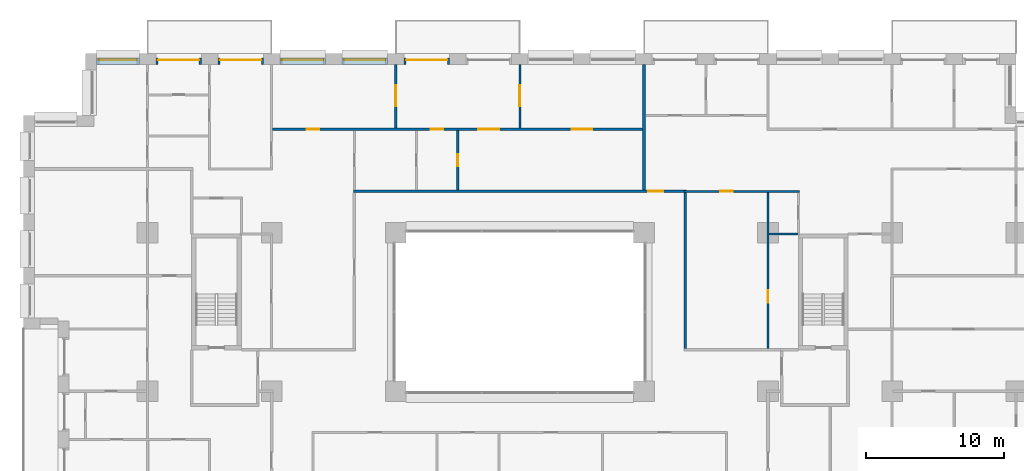
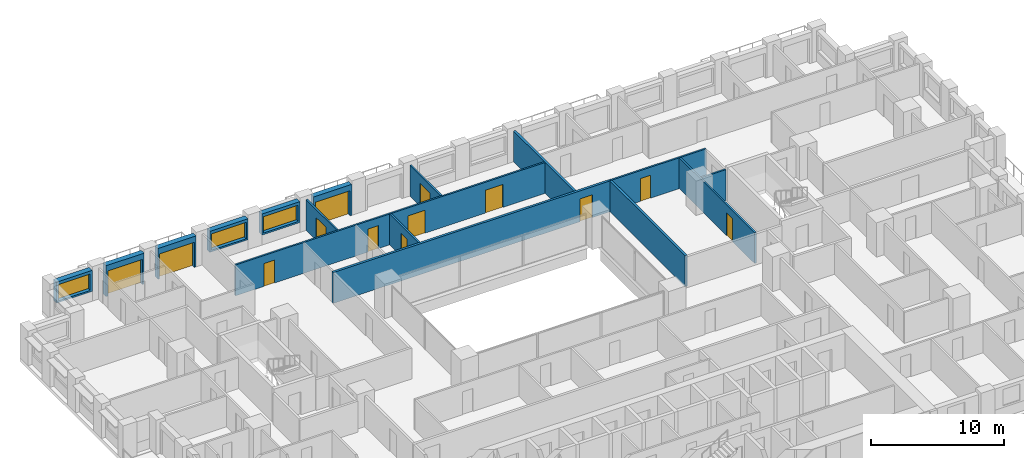
# One storey, part 14 of 20: 16 walls, 13 doors, 3 windows, 16 openings.
"""IFC4 building model written with IfcOpenShell, lengths in metres."""

from ifc_helpers import new_model, si_unit, direction, frame, frame_2d, origin, place, context, subcontext, project, spatial, rectangle, extrude, material, layer, layer_set, type_object, element, fill, save


model = new_model("IFC4")

# Units and contexts
model_context = context("Model", 3, precision=1e-05, world=origin(), true_north=direction((0.0, 1.0)))
body_context = subcontext(model_context, "Body", "Model", "MODEL_VIEW")
ifc_project = project(units=[si_unit("LENGTHUNIT", "METRE"), si_unit("AREAUNIT", "SQUARE_METRE"), si_unit("VOLUMEUNIT", "CUBIC_METRE"), si_unit("PLANEANGLEUNIT", "RADIAN"), si_unit("MASSUNIT", "GRAM", prefix="KILO")], contexts=[model_context])

# Site, building, storey
site_placement = place(None, origin())
site = spatial("IfcSite", under=ifc_project, at=site_placement, CompositionType="ELEMENT")
building_placement = place(site_placement, origin())
building = spatial("IfcBuilding", under=site, at=building_placement, Name="Brigalow Station Residences", CompositionType="ELEMENT")
storey_placement = place(building_placement, frame((0.0, 0.0, 66.75)))
storey = spatial("IfcBuildingStorey", under=building, at=storey_placement, Name="L19", CompositionType="ELEMENT", Elevation=66.75)

# Wall, opening, door
ifc_material_1 = material(Name="Clay brick masonry", Category="masonry")
ifc_layer_1 = layer(ifc_material_1, 0.449951171875)
ifc_layer_set_1 = layer_set([ifc_layer_1], Name="BRICK INFILL WALL 450")
wall_type_1 = type_object("IfcWallType", Name="BRICK INFILL WALL 450", PredefinedType="SOLIDWALL", material=ifc_layer_set_1)
wall_1_placement = place(storey_placement, frame((30.89990234375, 47.925048828125, 0.0), z_axis=(0.0, 0.0, 1.0), x_axis=(-1.0, 0.0, 0.0)))
wall_1 = element("IfcWall", 1, at=wall_1_placement, inside=storey, type_object=wall_type_1, Name="L19/ewall/W-L19-34", PredefinedType="SOLIDWALL", context=body_context, shape_type="SweptSolid", body=[
    extrude(rectangle(XDim=3.2998046875, YDim=0.449951171875, at=frame_2d((1.64990234375, 0.0))), origin(), (0.0, 0.0, 1.0), 2.830078125),
])
opening_1_placement = place(wall_1_placement, frame((0.14990234375, 0.0, 0.0)))
opening_1 = element("IfcOpeningElement", 2, at=opening_1_placement, cuts=wall_1, Name="Opening D-B3000", PredefinedType="OPENING", context=body_context, shape_type="SweptSolid", body=[
    extrude(rectangle(XDim=3.0, YDim=2.300048828125, at=frame_2d((1.5, 1.14990234375))), frame((0.0, 0.23486328125, 0.0), z_axis=(0.0, -1.0, 0.0), x_axis=(1.0, 0.0, 0.0)), (0.0, 0.0, 1.0), 0.469970703125),
])
ifc_material_2 = material(Name="Anodised aluminium frame with double glazing", Category="aluminium")
door_type_1 = type_object("IfcDoorType", Name="BALCONY SLIDING DOOR 3000x2300", OperationType="SLIDING_TO_LEFT", PredefinedType="DOOR", material=ifc_material_2)
door_1_placement = place(opening_1_placement, origin())
door_1 = element("IfcDoor", 3, at=door_1_placement, inside=storey, type_object=door_type_1, Name="L19/balcony-door/W-L19-34", OperationType="SLIDING_TO_LEFT", OverallHeight=2.300048828125, OverallWidth=3.0, PredefinedType="DOOR", context=body_context, shape_type="SweptSolid", body=[
    extrude(rectangle(XDim=3.0, YDim=2.300048828125, at=frame_2d((1.5, 1.14990234375))), frame((0.0, -0.06982421875, 0.0), z_axis=(0.0, -1.0, 0.0), x_axis=(1.0, 0.0, 0.0)), (0.0, 0.0, 1.0), 0.050048828125),
])
fill(opening_1, door_1)

# Wall, opening, window
wall_2_placement = place(storey_placement, frame((26.39990234375, 47.925048828125, 0.89990234375), z_axis=(0.0, 0.0, 1.0), x_axis=(-1.0, 0.0, 0.0)))
wall_2 = element("IfcWall", 4, at=wall_2_placement, inside=storey, type_object=wall_type_1, Name="L19/ewall/W-L19-35", PredefinedType="SOLIDWALL", context=body_context, shape_type="SweptSolid", body=[
    extrude(rectangle(XDim=3.2998046875, YDim=0.449951171875, at=frame_2d((1.64990234375, 0.0))), origin(), (0.0, 0.0, 1.0), 1.93017578125),
])
opening_2_placement = place(wall_2_placement, frame((0.14990234375, 0.0, 0.14990234375)))
opening_2 = element("IfcOpeningElement", 5, at=opening_2_placement, cuts=wall_2, Name="Opening WT-2", PredefinedType="OPENING", context=body_context, shape_type="SweptSolid", body=[
    extrude(rectangle(XDim=3.0, YDim=1.5, at=frame_2d((1.5, 0.75))), frame((0.0, 0.23486328125, 0.0), z_axis=(0.0, -1.0, 0.0), x_axis=(1.0, 0.0, 0.0)), (0.0, 0.0, 1.0), 0.469970703125),
])
ifc_material_3 = material(Name="Anodised aluminium frame with double glazing", Category="aluminium")
window_type_1 = type_object("IfcWindowType", Name="WINDOW 3000x1500", PartitioningType="SINGLE_PANEL", PredefinedType="WINDOW", material=ifc_material_3)
window_1_placement = place(opening_2_placement, origin())
window_1 = element("IfcWindow", 6, at=window_1_placement, inside=storey, type_object=window_type_1, Name="L19/window/W-L19-35", OverallHeight=1.5, OverallWidth=3.0, PartitioningType="SINGLE_PANEL", PredefinedType="WINDOW", context=body_context, shape_type="SweptSolid", body=[
    extrude(rectangle(XDim=3.0, YDim=1.5, at=frame_2d((1.5, 0.75))), frame((0.0, -0.06494140625, 0.0), z_axis=(0.0, -1.0, 0.0), x_axis=(1.0, 0.0, 0.0)), (0.0, 0.0, 1.0), 0.06005859375),
])
fill(opening_2, window_1)

wall_3_placement = place(storey_placement, frame((21.89990234375, 47.925048828125, 0.89990234375), z_axis=(0.0, 0.0, 1.0), x_axis=(-1.0, 0.0, 0.0)))
wall_3 = element("IfcWall", 7, at=wall_3_placement, inside=storey, type_object=wall_type_1, Name="L19/ewall/W-L19-36", PredefinedType="SOLIDWALL", context=body_context, shape_type="SweptSolid", body=[
    extrude(rectangle(XDim=3.2998046875, YDim=0.449951171875, at=frame_2d((1.64990234375, 0.0))), origin(), (0.0, 0.0, 1.0), 1.93017578125),
])
opening_3_placement = place(wall_3_placement, frame((0.14990234375, 0.0, 0.14990234375)))
opening_3 = element("IfcOpeningElement", 8, at=opening_3_placement, cuts=wall_3, Name="Opening WT-2", PredefinedType="OPENING", context=body_context, shape_type="SweptSolid", body=[
    extrude(rectangle(XDim=3.0, YDim=1.5, at=frame_2d((1.5, 0.75))), frame((0.0, 0.23486328125, 0.0), z_axis=(0.0, -1.0, 0.0), x_axis=(1.0, 0.0, 0.0)), (0.0, 0.0, 1.0), 0.469970703125),
])
window_2_placement = place(opening_3_placement, origin())
window_2 = element("IfcWindow", 9, at=window_2_placement, inside=storey, type_object=window_type_1, Name="L19/window/W-L19-36", OverallHeight=1.5, OverallWidth=3.0, PartitioningType="SINGLE_PANEL", PredefinedType="WINDOW", context=body_context, shape_type="SweptSolid", body=[
    extrude(rectangle(XDim=3.0, YDim=1.5, at=frame_2d((1.5, 0.75))), frame((0.0, -0.06494140625, 0.0), z_axis=(0.0, -1.0, 0.0), x_axis=(1.0, 0.0, 0.0)), (0.0, 0.0, 1.0), 0.06005859375),
])
fill(opening_3, window_2)

# Wall, opening, door
wall_4_placement = place(storey_placement, frame((17.39990234375, 47.925048828125, 0.0), z_axis=(0.0, 0.0, 1.0), x_axis=(-1.0, 0.0, 0.0)))
wall_4 = element("IfcWall", 10, at=wall_4_placement, inside=storey, type_object=wall_type_1, Name="L19/ewall/W-L19-37", PredefinedType="SOLIDWALL", context=body_context, shape_type="SweptSolid", body=[
    extrude(rectangle(XDim=3.2998046875, YDim=0.449951171875, at=frame_2d((1.64990234375, 0.0))), origin(), (0.0, 0.0, 1.0), 2.830078125),
])
opening_4_placement = place(wall_4_placement, frame((0.14990234375, 0.0, 0.0)))
opening_4 = element("IfcOpeningElement", 11, at=opening_4_placement, cuts=wall_4, Name="Opening D-B3000", PredefinedType="OPENING", context=body_context, shape_type="SweptSolid", body=[
    extrude(rectangle(XDim=3.0, YDim=2.300048828125, at=frame_2d((1.5, 1.14990234375))), frame((0.0, 0.23486328125, 0.0), z_axis=(0.0, -1.0, 0.0), x_axis=(1.0, 0.0, 0.0)), (0.0, 0.0, 1.0), 0.469970703125),
])
door_2_placement = place(opening_4_placement, origin())
door_2 = element("IfcDoor", 12, at=door_2_placement, inside=storey, type_object=door_type_1, Name="L19/balcony-door/W-L19-37", OperationType="SLIDING_TO_LEFT", OverallHeight=2.300048828125, OverallWidth=3.0, PredefinedType="DOOR", context=body_context, shape_type="SweptSolid", body=[
    extrude(rectangle(XDim=3.0, YDim=2.300048828125, at=frame_2d((1.5, 1.14990234375))), frame((0.0, -0.06982421875, 0.0), z_axis=(0.0, -1.0, 0.0), x_axis=(1.0, 0.0, 0.0)), (0.0, 0.0, 1.0), 0.050048828125),
])
fill(opening_4, door_2)

wall_5_placement = place(storey_placement, frame((12.89990234375, 47.925048828125, 0.0), z_axis=(0.0, 0.0, 1.0), x_axis=(-1.0, 0.0, 0.0)))
wall_5 = element("IfcWall", 13, at=wall_5_placement, inside=storey, type_object=wall_type_1, Name="L19/ewall/W-L19-38", PredefinedType="SOLIDWALL", context=body_context, shape_type="SweptSolid", body=[
    extrude(rectangle(XDim=3.2998046875, YDim=0.449951171875, at=frame_2d((1.64990234375, 0.0))), origin(), (0.0, 0.0, 1.0), 2.830078125),
])
opening_5_placement = place(wall_5_placement, frame((0.14990234375, 0.0, 0.0)))
opening_5 = element("IfcOpeningElement", 14, at=opening_5_placement, cuts=wall_5, Name="Opening D-B3000", PredefinedType="OPENING", context=body_context, shape_type="SweptSolid", body=[
    extrude(rectangle(XDim=3.0, YDim=2.300048828125, at=frame_2d((1.5, 1.14990234375))), frame((0.0, 0.23486328125, 0.0), z_axis=(0.0, -1.0, 0.0), x_axis=(1.0, 0.0, 0.0)), (0.0, 0.0, 1.0), 0.469970703125),
])
door_3_placement = place(opening_5_placement, origin())
door_3 = element("IfcDoor", 15, at=door_3_placement, inside=storey, type_object=door_type_1, Name="L19/balcony-door/W-L19-38", OperationType="SLIDING_TO_LEFT", OverallHeight=2.300048828125, OverallWidth=3.0, PredefinedType="DOOR", context=body_context, shape_type="SweptSolid", body=[
    extrude(rectangle(XDim=3.0, YDim=2.300048828125, at=frame_2d((1.5, 1.14990234375))), frame((0.0, -0.06982421875, 0.0), z_axis=(0.0, -1.0, 0.0), x_axis=(1.0, 0.0, 0.0)), (0.0, 0.0, 1.0), 0.050048828125),
])
fill(opening_5, door_3)

# Wall, opening, window
wall_6_placement = place(storey_placement, frame((8.39990234375, 47.925048828125, 0.89990234375), z_axis=(0.0, 0.0, 1.0), x_axis=(-1.0, 0.0, 0.0)))
wall_6 = element("IfcWall", 16, at=wall_6_placement, inside=storey, type_object=wall_type_1, Name="L19/ewall/W-L19-39", PredefinedType="SOLIDWALL", context=body_context, shape_type="SweptSolid", body=[
    extrude(rectangle(XDim=3.099853515625, YDim=0.449951171875, at=frame_2d((1.5498046875, 0.0))), origin(), (0.0, 0.0, 1.0), 1.93017578125),
])
opening_6_placement = place(wall_6_placement, frame((0.175048828125, 0.0, 0.14990234375)))
opening_6 = element("IfcOpeningElement", 17, at=opening_6_placement, cuts=wall_6, Name="Opening WT-3", PredefinedType="OPENING", context=body_context, shape_type="SweptSolid", body=[
    extrude(rectangle(XDim=2.75, YDim=1.5, at=frame_2d((1.375, 0.75))), frame((0.0, 0.23486328125, 0.0), z_axis=(0.0, -1.0, 0.0), x_axis=(1.0, 0.0, 0.0)), (0.0, 0.0, 1.0), 0.469970703125),
])
ifc_material_4 = material(Name="Anodised aluminium frame with double glazing", Category="aluminium")
window_type_2 = type_object("IfcWindowType", Name="WINDOW 2750x1500", PartitioningType="SINGLE_PANEL", PredefinedType="WINDOW", material=ifc_material_4)
window_3_placement = place(opening_6_placement, origin())
window_3 = element("IfcWindow", 18, at=window_3_placement, inside=storey, type_object=window_type_2, Name="L19/window/W-L19-39", OverallHeight=1.5, OverallWidth=2.75, PartitioningType="SINGLE_PANEL", PredefinedType="WINDOW", context=body_context, shape_type="SweptSolid", body=[
    extrude(rectangle(XDim=2.75, YDim=1.5, at=frame_2d((1.375, 0.75))), frame((0.0, -0.06494140625, 0.0), z_axis=(0.0, -1.0, 0.0), x_axis=(1.0, 0.0, 0.0)), (0.0, 0.0, 1.0), 0.06005859375),
])
fill(opening_6, window_3)

# Wall, opening, door
ifc_material_5 = material(Name="Plasterboard on steel stud partition", Category="steel")
ifc_layer_2 = layer(ifc_material_5, 0.14990234375)
ifc_layer_set_2 = layer_set([ifc_layer_2], Name="FLAT PARTITION 150")
wall_type_2 = type_object("IfcWallType", Name="FLAT PARTITION 150", PredefinedType="PARTITIONING", material=ifc_layer_set_2)
wall_7_placement = place(storey_placement, frame((47.89990234375, 38.5, 0.0), z_axis=(0.0, 0.0, 1.0), x_axis=(1.0, 0.0, 0.0)))
wall_7 = element("IfcWall", 19, at=wall_7_placement, inside=storey, type_object=wall_type_2, Name="PW-1G08", PredefinedType="PARTITIONING", context=body_context, shape_type="SweptSolid", body=[
    extrude(rectangle(XDim=8.375, YDim=0.14990234375, at=frame_2d((4.1875, 0.0))), origin(), (0.0, 0.0, 1.0), 2.830078125),
])
opening_7_placement = place(wall_7_placement, frame((2.64990234375, 0.0, 0.0)))
opening_7 = element("IfcOpeningElement", 20, at=opening_7_placement, cuts=wall_7, Name="Opening D-1G42", PredefinedType="OPENING", context=body_context, shape_type="SweptSolid", body=[
    extrude(rectangle(XDim=0.89990234375, YDim=2.10009765625, at=frame_2d((0.449951171875, 1.050048828125))), frame((0.0, 0.0849609375, 0.0), z_axis=(0.0, -1.0, 0.0), x_axis=(1.0, 0.0, 0.0)), (0.0, 0.0, 1.0), 0.169921875),
])
ifc_material_6 = material(Name="Solid-core timber door leaf", Category="wood")
door_type_2 = type_object("IfcDoorType", Name="INTERNAL DOOR 900 x 2100", OperationType="SINGLE_SWING_LEFT", PredefinedType="DOOR", material=ifc_material_6)
door_4_placement = place(opening_7_placement, frame((0.89990234375, 0.0, 0.0), z_axis=(0.0, 0.0, 1.0), x_axis=(-1.0, 0.0, 0.0)))
door_4 = element("IfcDoor", 21, at=door_4_placement, inside=storey, type_object=door_type_2, Name="D-1G42", OperationType="SINGLE_SWING_RIGHT", OverallHeight=2.10009765625, OverallWidth=0.89990234375, PredefinedType="DOOR", context=body_context, shape_type="SweptSolid", body=[
    extrude(rectangle(XDim=0.89990234375, YDim=2.10009765625, at=frame_2d((0.449951171875, 1.050048828125))), frame((0.0, 0.02490234375, 0.0), z_axis=(0.0, -1.0, 0.0), x_axis=(1.0, 0.0, 0.0)), (0.0, 0.0, 1.0), 0.050048828125),
])
fill(opening_7, door_4)

# Wall, openings, doors
wall_8_placement = place(storey_placement, frame((18.074951171875, 43.0, 0.0), z_axis=(0.0, 0.0, 1.0), x_axis=(1.0, 0.0, 0.0)))
wall_8 = element("IfcWall", 22, at=wall_8_placement, inside=storey, type_object=wall_type_2, Name="PW-1G27", PredefinedType="PARTITIONING", context=body_context, shape_type="SweptSolid", body=[
    extrude(rectangle(XDim=26.824951171875, YDim=0.14990234375, at=frame_2d((13.41259765625, 0.0))), origin(), (0.0, 0.0, 1.0), 2.830078125),
])
opening_8_placement = place(wall_8_placement, frame((14.925048828125, 0.0, 0.0)))
opening_8 = element("IfcOpeningElement", 23, at=opening_8_placement, cuts=wall_8, Name="Opening D-1G21", PredefinedType="OPENING", context=body_context, shape_type="SweptSolid", body=[
    extrude(rectangle(XDim=1.5, YDim=2.10009765625, at=frame_2d((0.75, 1.050048828125))), frame((0.0, 0.0849609375, 0.0), z_axis=(0.0, -1.0, 0.0), x_axis=(1.0, 0.0, 0.0)), (0.0, 0.0, 1.0), 0.169921875),
])
opening_9_placement = place(wall_8_placement, frame((11.47509765625, 0.0, 0.0)))
opening_9 = element("IfcOpeningElement", 24, at=opening_9_placement, cuts=wall_8, Name="Opening D-1G23", PredefinedType="OPENING", context=body_context, shape_type="SweptSolid", body=[
    extrude(rectangle(XDim=0.89990234375, YDim=2.10009765625, at=frame_2d((0.449951171875, 1.050048828125))), frame((0.0, 0.0849609375, 0.0), z_axis=(0.0, -1.0, 0.0), x_axis=(1.0, 0.0, 0.0)), (0.0, 0.0, 1.0), 0.169921875),
])
opening_10_placement = place(wall_8_placement, frame((2.47509765625, 0.0, 0.0)))
opening_10 = element("IfcOpeningElement", 25, at=opening_10_placement, cuts=wall_8, Name="Opening D-1G30", PredefinedType="OPENING", context=body_context, shape_type="SweptSolid", body=[
    extrude(rectangle(XDim=0.89990234375, YDim=2.10009765625, at=frame_2d((0.449951171875, 1.050048828125))), frame((0.0, 0.0849609375, 0.0), z_axis=(0.0, -1.0, 0.0), x_axis=(1.0, 0.0, 0.0)), (0.0, 0.0, 1.0), 0.169921875),
])
opening_11_placement = place(wall_8_placement, frame((21.675048828125, 0.0, 0.0)))
opening_11 = element("IfcOpeningElement", 26, at=opening_11_placement, cuts=wall_8, Name="Opening D-1G35", PredefinedType="OPENING", context=body_context, shape_type="SweptSolid", body=[
    extrude(rectangle(XDim=1.5, YDim=2.10009765625, at=frame_2d((0.75, 1.050048828125))), frame((0.0, 0.0849609375, 0.0), z_axis=(0.0, -1.0, 0.0), x_axis=(1.0, 0.0, 0.0)), (0.0, 0.0, 1.0), 0.169921875),
])
door_5_placement = place(opening_9_placement, frame((0.89990234375, 0.0, 0.0), z_axis=(0.0, 0.0, 1.0), x_axis=(-1.0, 0.0, 0.0)))
door_5 = element("IfcDoor", 27, at=door_5_placement, inside=storey, type_object=door_type_2, Name="D-1G23", OperationType="SINGLE_SWING_LEFT", OverallHeight=2.10009765625, OverallWidth=0.89990234375, PredefinedType="DOOR", context=body_context, shape_type="SweptSolid", body=[
    extrude(rectangle(XDim=0.89990234375, YDim=2.10009765625, at=frame_2d((0.449951171875, 1.050048828125))), frame((0.0, 0.02490234375, 0.0), z_axis=(0.0, -1.0, 0.0), x_axis=(1.0, 0.0, 0.0)), (0.0, 0.0, 1.0), 0.050048828125),
])
fill(opening_9, door_5)
door_6_placement = place(opening_10_placement, origin())
door_6 = element("IfcDoor", 28, at=door_6_placement, inside=storey, type_object=door_type_2, Name="D-1G30", OperationType="SINGLE_SWING_LEFT", OverallHeight=2.10009765625, OverallWidth=0.89990234375, PredefinedType="DOOR", context=body_context, shape_type="SweptSolid", body=[
    extrude(rectangle(XDim=0.89990234375, YDim=2.10009765625, at=frame_2d((0.449951171875, 1.050048828125))), frame((0.0, 0.02490234375, 0.0), z_axis=(0.0, -1.0, 0.0), x_axis=(1.0, 0.0, 0.0)), (0.0, 0.0, 1.0), 0.050048828125),
])
fill(opening_10, door_6)
ifc_material_7 = material(Name="Solid-core timber door leaf", Category="wood")
door_type_3 = type_object("IfcDoorType", Name="INTERNAL DOUBLE DOOR 1500 x 2100", OperationType="DOUBLE_DOOR_SINGLE_SWING", PredefinedType="DOOR", material=ifc_material_7)
door_7_placement = place(opening_8_placement, origin())
door_7 = element("IfcDoor", 29, at=door_7_placement, inside=storey, type_object=door_type_3, Name="D-1G21", OperationType="DOUBLE_DOOR_SINGLE_SWING", OverallHeight=2.10009765625, OverallWidth=1.5, PredefinedType="DOOR", context=body_context, shape_type="SweptSolid", body=[
    extrude(rectangle(XDim=1.5, YDim=2.10009765625, at=frame_2d((0.75, 1.050048828125))), frame((0.0, 0.02490234375, 0.0), z_axis=(0.0, -1.0, 0.0), x_axis=(1.0, 0.0, 0.0)), (0.0, 0.0, 1.0), 0.050048828125),
])
fill(opening_8, door_7)
door_8_placement = place(opening_11_placement, origin())
door_8 = element("IfcDoor", 30, at=door_8_placement, inside=storey, type_object=door_type_3, Name="D-1G35", OperationType="DOUBLE_DOOR_SINGLE_SWING", OverallHeight=2.10009765625, OverallWidth=1.5, PredefinedType="DOOR", context=body_context, shape_type="SweptSolid", body=[
    extrude(rectangle(XDim=1.5, YDim=2.10009765625, at=frame_2d((0.75, 1.050048828125))), frame((0.0, 0.02490234375, 0.0), z_axis=(0.0, -1.0, 0.0), x_axis=(1.0, 0.0, 0.0)), (0.0, 0.0, 1.0), 0.050048828125),
])
fill(opening_11, door_8)

# Wall
wall_9_placement = place(storey_placement, frame((54.074951171875, 35.39990234375, 0.0), z_axis=(0.0, 0.0, 1.0), x_axis=(1.0, 0.0, 0.0)))
element("IfcWall", 31, at=wall_9_placement, inside=storey, type_object=wall_type_2, Name="PW-1G31", PredefinedType="PARTITIONING", context=body_context, shape_type="SweptSolid", body=[
    extrude(rectangle(XDim=2.125, YDim=0.14990234375, at=frame_2d((1.0625, 0.0))), origin(), (0.0, 0.0, 1.0), 2.830078125),
])

# Wall, opening, door
wall_10_placement = place(storey_placement, frame((54.0, 27.10009765625, 0.0), z_axis=(0.0, 0.0, 1.0), x_axis=(0.0, 1.0, 0.0)))
wall_10 = element("IfcWall", 32, at=wall_10_placement, inside=storey, type_object=wall_type_2, Name="PW-1G42", PredefinedType="PARTITIONING", context=body_context, shape_type="SweptSolid", body=[
    extrude(rectangle(XDim=11.324951171875, YDim=0.14990234375, at=frame_2d((5.66259765625, 0.0))), origin(), (0.0, 0.0, 1.0), 2.830078125),
])
opening_12_placement = place(wall_10_placement, frame((3.324951171875, 0.0, 0.0)))
opening_12 = element("IfcOpeningElement", 33, at=opening_12_placement, cuts=wall_10, Name="Opening D-1G49", PredefinedType="OPENING", context=body_context, shape_type="SweptSolid", body=[
    extrude(rectangle(XDim=0.89990234375, YDim=2.10009765625, at=frame_2d((0.449951171875, 1.050048828125))), frame((0.0, 0.0849609375, 0.0), z_axis=(0.0, -1.0, 0.0), x_axis=(1.0, 0.0, 0.0)), (0.0, 0.0, 1.0), 0.169921875),
])
door_9_placement = place(opening_12_placement, frame((0.89990234375, 0.0, 0.0), z_axis=(0.0, 0.0, 1.0), x_axis=(-1.0, 0.0, 0.0)))
door_9 = element("IfcDoor", 34, at=door_9_placement, inside=storey, type_object=door_type_2, Name="D-1G49", OperationType="SINGLE_SWING_RIGHT", OverallHeight=2.10009765625, OverallWidth=0.89990234375, PredefinedType="DOOR", context=body_context, shape_type="SweptSolid", body=[
    extrude(rectangle(XDim=0.89990234375, YDim=2.10009765625, at=frame_2d((0.449951171875, 1.050048828125))), frame((0.0, 0.02490234375, 0.0), z_axis=(0.0, -1.0, 0.0), x_axis=(1.0, 0.0, 0.0)), (0.0, 0.0, 1.0), 0.050048828125),
])
fill(opening_12, door_9)

wall_11_placement = place(storey_placement, frame((27.0, 43.074951171875, 0.0), z_axis=(0.0, 0.0, 1.0), x_axis=(0.0, 1.0, 0.0)))
wall_11 = element("IfcWall", 35, at=wall_11_placement, inside=storey, type_object=wall_type_2, Name="PW-1G61", PredefinedType="PARTITIONING", context=body_context, shape_type="SweptSolid", body=[
    extrude(rectangle(XDim=4.625, YDim=0.14990234375, at=frame_2d((2.3125, 0.0))), origin(), (0.0, 0.0, 1.0), 2.830078125),
])
opening_13_placement = place(wall_11_placement, frame((1.60009765625, 0.0, 0.0)))
opening_13 = element("IfcOpeningElement", 36, at=opening_13_placement, cuts=wall_11, Name="Opening D-1G22", PredefinedType="OPENING", context=body_context, shape_type="SweptSolid", body=[
    extrude(rectangle(XDim=1.5, YDim=2.10009765625, at=frame_2d((0.75, 1.050048828125))), frame((0.0, 0.0849609375, 0.0), z_axis=(0.0, -1.0, 0.0), x_axis=(1.0, 0.0, 0.0)), (0.0, 0.0, 1.0), 0.169921875),
])
door_10_placement = place(opening_13_placement, frame((1.5, 0.0, 0.0), z_axis=(0.0, 0.0, 1.0), x_axis=(-1.0, 0.0, 0.0)))
door_10 = element("IfcDoor", 37, at=door_10_placement, inside=storey, type_object=door_type_3, Name="D-1G22", OperationType="DOUBLE_DOOR_SINGLE_SWING", OverallHeight=2.10009765625, OverallWidth=1.5, PredefinedType="DOOR", context=body_context, shape_type="SweptSolid", body=[
    extrude(rectangle(XDim=1.5, YDim=2.10009765625, at=frame_2d((0.75, 1.050048828125))), frame((0.0, 0.02490234375, 0.0), z_axis=(0.0, -1.0, 0.0), x_axis=(1.0, 0.0, 0.0)), (0.0, 0.0, 1.0), 0.050048828125),
])
fill(opening_13, door_10)

wall_12_placement = place(storey_placement, frame((31.5, 38.60009765625, 0.0), z_axis=(0.0, 0.0, 1.0), x_axis=(0.0, 1.0, 0.0)))
wall_12 = element("IfcWall", 38, at=wall_12_placement, inside=storey, type_object=wall_type_2, Name="PW-1G63", PredefinedType="PARTITIONING", context=body_context, shape_type="SweptSolid", body=[
    extrude(rectangle(XDim=4.324951171875, YDim=0.14990234375, at=frame_2d((2.16259765625, 0.0))), origin(), (0.0, 0.0, 1.0), 2.830078125),
])
opening_14_placement = place(wall_12_placement, frame((1.699951171875, 0.0, 0.0)))
opening_14 = element("IfcOpeningElement", 39, at=opening_14_placement, cuts=wall_12, Name="Opening D-1G34", PredefinedType="OPENING", context=body_context, shape_type="SweptSolid", body=[
    extrude(rectangle(XDim=0.89990234375, YDim=2.10009765625, at=frame_2d((0.449951171875, 1.050048828125))), frame((0.0, 0.0849609375, 0.0), z_axis=(0.0, -1.0, 0.0), x_axis=(1.0, 0.0, 0.0)), (0.0, 0.0, 1.0), 0.169921875),
])
door_11_placement = place(opening_14_placement, origin())
door_11 = element("IfcDoor", 40, at=door_11_placement, inside=storey, type_object=door_type_2, Name="D-1G34", OperationType="SINGLE_SWING_LEFT", OverallHeight=2.10009765625, OverallWidth=0.89990234375, PredefinedType="DOOR", context=body_context, shape_type="SweptSolid", body=[
    extrude(rectangle(XDim=0.89990234375, YDim=2.10009765625, at=frame_2d((0.449951171875, 1.050048828125))), frame((0.0, 0.02490234375, 0.0), z_axis=(0.0, -1.0, 0.0), x_axis=(1.0, 0.0, 0.0)), (0.0, 0.0, 1.0), 0.050048828125),
])
fill(opening_14, door_11)

wall_13_placement = place(storey_placement, frame((36.0, 43.074951171875, 0.0), z_axis=(0.0, 0.0, 1.0), x_axis=(0.0, 1.0, 0.0)))
wall_13 = element("IfcWall", 41, at=wall_13_placement, inside=storey, type_object=wall_type_2, Name="PW-1G64", PredefinedType="PARTITIONING", context=body_context, shape_type="SweptSolid", body=[
    extrude(rectangle(XDim=4.625, YDim=0.14990234375, at=frame_2d((2.3125, 0.0))), origin(), (0.0, 0.0, 1.0), 2.830078125),
])
opening_15_placement = place(wall_13_placement, frame((1.60009765625, 0.0, 0.0)))
opening_15 = element("IfcOpeningElement", 42, at=opening_15_placement, cuts=wall_13, Name="Opening D-1G24", PredefinedType="OPENING", context=body_context, shape_type="SweptSolid", body=[
    extrude(rectangle(XDim=1.5, YDim=2.10009765625, at=frame_2d((0.75, 1.050048828125))), frame((0.0, 0.0849609375, 0.0), z_axis=(0.0, -1.0, 0.0), x_axis=(1.0, 0.0, 0.0)), (0.0, 0.0, 1.0), 0.169921875),
])
door_12_placement = place(opening_15_placement, origin())
door_12 = element("IfcDoor", 43, at=door_12_placement, inside=storey, type_object=door_type_3, Name="D-1G24", OperationType="DOUBLE_DOOR_SINGLE_SWING", OverallHeight=2.10009765625, OverallWidth=1.5, PredefinedType="DOOR", context=body_context, shape_type="SweptSolid", body=[
    extrude(rectangle(XDim=1.5, YDim=2.10009765625, at=frame_2d((0.75, 1.050048828125))), frame((0.0, 0.02490234375, 0.0), z_axis=(0.0, -1.0, 0.0), x_axis=(1.0, 0.0, 0.0)), (0.0, 0.0, 1.0), 0.050048828125),
])
fill(opening_15, door_12)

ifc_material_8 = material(Name="Plasterboard on steel stud partition", Category="steel")
ifc_layer_3 = layer(ifc_material_8, 0.199951171875)
ifc_layer_set_3 = layer_set([ifc_layer_3], Name="PARTY AND CORRIDOR WALL 200")
wall_type_3 = type_object("IfcWallType", Name="PARTY AND CORRIDOR WALL 200", PredefinedType="PARTITIONING", material=ifc_layer_set_3)
wall_14_placement = place(storey_placement, frame((23.925048828125, 38.5, 0.0), z_axis=(0.0, 0.0, 1.0), x_axis=(1.0, 0.0, 0.0)))
wall_14 = element("IfcWall", 44, at=wall_14_placement, inside=storey, type_object=wall_type_3, Name="PW-1G09", PredefinedType="PARTITIONING", context=body_context, shape_type="SweptSolid", body=[
    extrude(rectangle(XDim=24.175048828125, YDim=0.199951171875, at=frame_2d((12.08740234375, 0.0))), origin(), (0.0, 0.0, 1.0), 2.830078125),
])
opening_16_placement = place(wall_14_placement, frame((21.375, 0.0, 0.0)))
opening_16 = element("IfcOpeningElement", 45, at=opening_16_placement, cuts=wall_14, Name="Opening D-1G51", PredefinedType="OPENING", context=body_context, shape_type="SweptSolid", body=[
    extrude(rectangle(XDim=1.10009765625, YDim=2.10009765625, at=frame_2d((0.550048828125, 1.050048828125))), frame((0.0, 0.10986328125, 0.0), z_axis=(0.0, -1.0, 0.0), x_axis=(1.0, 0.0, 0.0)), (0.0, 0.0, 1.0), 0.219970703125),
])
ifc_material_9 = material(Name="Solid-core timber door leaf", Category="wood")
door_type_4 = type_object("IfcDoorType", Name="FLAT ENTRANCE DOOR 1100 x 2100 FRL -/60/30", OperationType="SINGLE_SWING_LEFT", PredefinedType="DOOR", material=ifc_material_9)
door_13_placement = place(opening_16_placement, origin())
door_13 = element("IfcDoor", 46, at=door_13_placement, inside=storey, type_object=door_type_4, Name="D-1G51", OperationType="SINGLE_SWING_LEFT", OverallHeight=2.10009765625, OverallWidth=1.10009765625, PredefinedType="DOOR", context=body_context, shape_type="SweptSolid", body=[
    extrude(rectangle(XDim=1.10009765625, YDim=2.10009765625, at=frame_2d((0.550048828125, 1.050048828125))), frame((0.0, 0.02490234375, 0.0), z_axis=(0.0, -1.0, 0.0), x_axis=(1.0, 0.0, 0.0)), (0.0, 0.0, 1.0), 0.050048828125),
])
fill(opening_16, door_13)

# Walls
wall_15_placement = place(storey_placement, frame((48.0, 27.10009765625, 0.0), z_axis=(0.0, 0.0, 1.0), x_axis=(0.0, 1.0, 0.0)))
element("IfcWall", 47, at=wall_15_placement, inside=storey, type_object=wall_type_3, Name="PW-1G49", PredefinedType="PARTITIONING", context=body_context, shape_type="SweptSolid", body=[
    extrude(rectangle(XDim=11.324951171875, YDim=0.199951171875, at=frame_2d((5.66259765625, 0.0))), origin(), (0.0, 0.0, 1.0), 2.830078125),
])
wall_16_placement = place(storey_placement, frame((45.0, 38.60009765625, 0.0), z_axis=(0.0, 0.0, 1.0), x_axis=(0.0, 1.0, 0.0)))
element("IfcWall", 48, at=wall_16_placement, inside=storey, type_object=wall_type_3, Name="PW-1G65", PredefinedType="PARTITIONING", context=body_context, shape_type="SweptSolid", body=[
    extrude(rectangle(XDim=9.099853515625, YDim=0.199951171875, at=frame_2d((4.5498046875, 0.0))), origin(), (0.0, 0.0, 1.0), 2.830078125),
])

save(model, "model.ifc")
